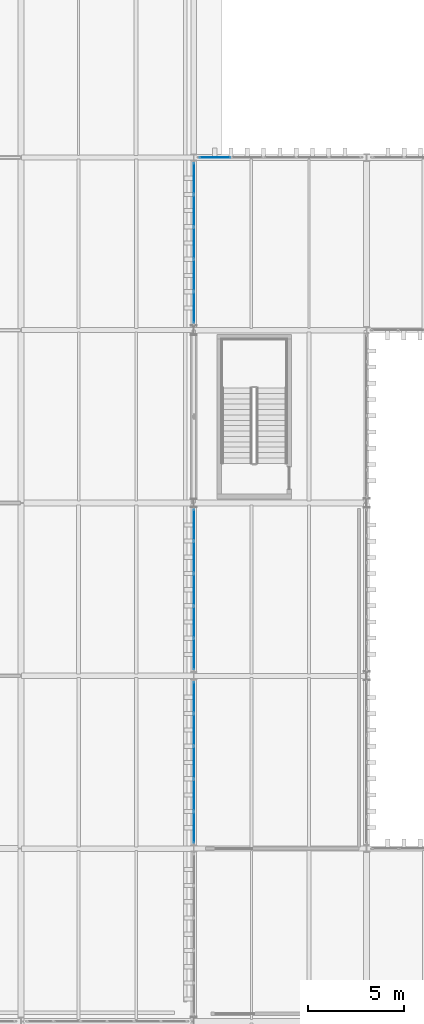
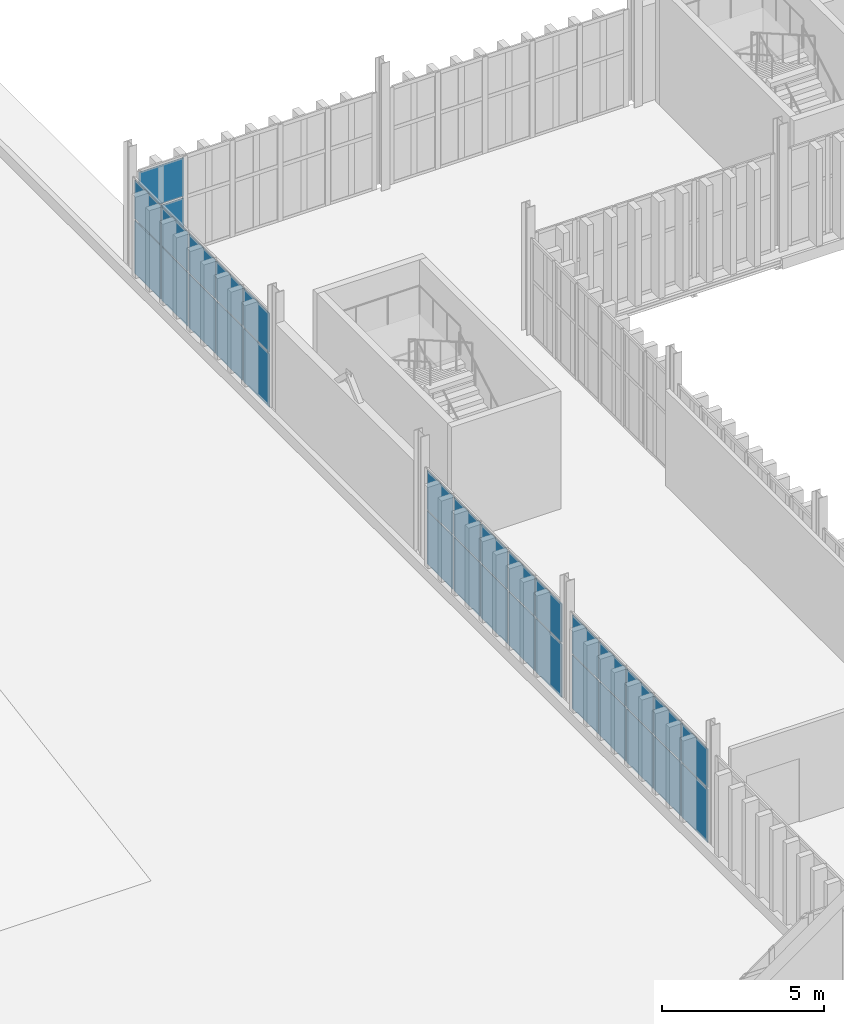
# One storey, part 162 of 196: 32 plates, 4 elements without a shape of their own.
"""IFC4 building model written with IfcOpenShell, lengths in metres."""

import ifcopenshell
import ifcopenshell.guid

model = None  # the IFC model being written
_history = None  # IfcOwnerHistory: only IFC2X3 demands one
_inside = {}  # id of a spatial element -> (the spatial element, [elements in it])
_under = {}  # id of a project, library or spatial element -> (it, [spatial elements below it])
_declared = {}  # id of a project -> (the project, [libraries it declares])
_typed = {}  # id of a type object -> (the type object, [elements of that type])
_made_of = {}  # id of a material, layer set ... -> (it, [elements and type objects made of it])


def new_model(schema):
    """Start an empty IFC model of exactly this schema.

    Asked for "IFC4X3", IfcOpenShell would pick the latest addendum, in which some entities
    have other attributes; the version numbers below select the first issue.
    IFC2X3 requires an IfcOwnerHistory on every rooted entity: one is made here for all.
    """
    global model, _history
    if schema == "IFC4X3":
        model = ifcopenshell.file(schema_version=(4, 3, 0, 0))
    else:
        model = ifcopenshell.file(schema=schema)
    _inside.clear()
    _under.clear()
    _declared.clear()
    _typed.clear()
    _made_of.clear()
    _history = None
    if model.schema == "IFC2X3":
        org = make("IfcOrganization", Name="unknown")
        user = make(
            "IfcPersonAndOrganization",
            ThePerson=make("IfcPerson", FamilyName="unknown"),
            TheOrganization=org,
        )
        app = make(
            "IfcApplication",
            ApplicationDeveloper=org,
            Version="unknown",
            ApplicationFullName="unknown",
            ApplicationIdentifier="unknown",
        )
        _history = make(
            "IfcOwnerHistory",
            OwningUser=user,
            OwningApplication=app,
            ChangeAction="ADDED",
            CreationDate=0,
        )
    return model


def make(cls, **values):
    """One entity of the class cls with the attributes given. An attribute that is None is left unset."""
    return model.create_entity(
        cls, **{name: value for name, value in values.items() if value is not None}
    )


def rooted(cls, **values):
    """An entity with a GlobalId (a new one), such as an element, a storey or a relation."""
    return make(cls, GlobalId=ifcopenshell.guid.new(), OwnerHistory=_history, **values)


def si_unit(unit_type, name, prefix=None):
    """IfcSIUnit, for example si_unit("LENGTHUNIT", "METRE", prefix="MILLI")."""
    return make("IfcSIUnit", UnitType=unit_type, Prefix=prefix, Name=name)


def assignment(units):
    """IfcUnitAssignment: the units of a project."""
    return None if units is None else make("IfcUnitAssignment", Units=units)


def point(xyz):
    """IfcCartesianPoint."""
    return None if xyz is None else make("IfcCartesianPoint", Coordinates=xyz)


def direction(xyz):
    """IfcDirection."""
    return None if xyz is None else make("IfcDirection", DirectionRatios=xyz)


def frame(location, z_axis=None, x_axis=None):
    """IfcAxis2Placement3D, a coordinate frame: its origin and axes. An axis left out is left unset."""
    return make(
        "IfcAxis2Placement3D",
        Location=point(location),
        Axis=direction(z_axis),
        RefDirection=direction(x_axis),
    )


def frame_2d(location, x_axis=None):
    """IfcAxis2Placement2D, a coordinate frame in the plane: its origin and x axis."""
    return make(
        "IfcAxis2Placement2D", Location=point(location), RefDirection=direction(x_axis)
    )


def origin():
    """The frame at (0, 0, 0) with its axes left unset."""
    return frame((0.0, 0.0, 0.0))


def origin_2d():
    """The frame at (0, 0) in the plane with its x axis left unset."""
    return frame_2d((0.0, 0.0))


def place(relative_to, where):
    """IfcLocalPlacement: puts the frame where relative to a parent placement (None: the world)."""
    return make(
        "IfcLocalPlacement", PlacementRelTo=relative_to, RelativePlacement=where
    )


def context(
    kind, dimensions, precision=None, world=None, true_north=None, identifier=None
):
    """IfcGeometricRepresentationContext, for example the 3D "Model" context."""
    return make(
        "IfcGeometricRepresentationContext",
        ContextIdentifier=identifier,
        ContextType=kind,
        CoordinateSpaceDimension=dimensions,
        Precision=precision,
        WorldCoordinateSystem=world,
        TrueNorth=true_north,
    )


def subcontext(parent, identifier, kind, view, scale=None):
    """IfcGeometricRepresentationSubContext, for example "Body" below "Model"."""
    return make(
        "IfcGeometricRepresentationSubContext",
        ContextIdentifier=identifier,
        ContextType=kind,
        ParentContext=parent,
        TargetScale=scale,
        TargetView=view,
    )


def project(units=None, contexts=None):
    """IfcProject with its units and contexts."""
    return rooted(
        "IfcProject",
        Name="project",
        RepresentationContexts=contexts,
        UnitsInContext=assignment(units),
    )


def spatial(cls, under=None, at=None, **own):
    """A site, building, storey or space (cls), placed at a placement, below another one or the project."""
    s = rooted(cls, ObjectPlacement=at, **own)
    if under is not None:
        _under.setdefault(under.id(), (under, []))[1].append(s)
    return s


def profile(cls, at=None, kind="AREA", **sizes):
    """A parametric profile (cls). Its sizes go by their IFC names, for example OverallWidth=200.0."""
    return make(cls, ProfileType=kind, Position=at, **sizes)


def rectangle(**sizes):
    """IfcRectangleProfileDef."""
    return profile("IfcRectangleProfileDef", **sizes)


def extrude(swept, where, along, depth):
    """IfcExtrudedAreaSolid: the profile swept, set in the frame where, extruded along a direction by depth."""
    return make(
        "IfcExtrudedAreaSolid",
        SweptArea=swept,
        Position=where,
        ExtrudedDirection=direction(along),
        Depth=depth,
    )


def shape(context_of_items, identifier, shape_type, items):
    """IfcShapeRepresentation: the items that make up one representation, for example the "Body"."""
    return make(
        "IfcShapeRepresentation",
        ContextOfItems=context_of_items,
        RepresentationIdentifier=identifier,
        RepresentationType=shape_type,
        Items=items,
    )


def material(Name=None, Category=None):
    """IfcMaterial."""
    return make("IfcMaterial", Name=Name, Category=Category)


def layer(
    of_material, thickness, ventilated=None, Name=None, Category=None, Priority=None
):
    """IfcMaterialLayer: one layer of a wall or slab, of a material (None: an air gap)."""
    return make(
        "IfcMaterialLayer",
        Material=of_material,
        LayerThickness=thickness,
        IsVentilated=ventilated,
        Name=Name,
        Category=Category,
        Priority=Priority,
    )


def layer_set(layers, Name=None):
    """IfcMaterialLayerSet."""
    return make("IfcMaterialLayerSet", MaterialLayers=layers, LayerSetName=Name)


def made_of(thing, what):
    """Note that an element or type object is made of a material, layer set ...; save() writes the relation."""
    if what is not None:
        _made_of.setdefault(what.id(), (what, []))[1].append(thing)
    return thing


def type_object(cls, material=None, **own):
    """A type object (cls), such as IfcWallType, which elements share."""
    return made_of(rooted(cls, **own), material)


def element(
    cls,
    number,
    at=None,
    inside=None,
    cuts=None,
    type_object=None,
    material=None,
    context=None,
    identifier="Body",
    shape_type=None,
    held_by="IfcProductDefinitionShape",
    body=None,
    shapes=None,
    **own,
):
    """One element of the class cls, such as IfcWall. Its Tag is "e" and its number.

    at: its placement. inside: the storey or other place that contains it. cuts: it is an
    opening in that element (IfcRelVoidsElement). A single representation is given by context,
    identifier, shape_type and body (its items); several are given by shapes. held_by: the class
    of the entity that holds the representations. save() writes the other relations.
    """
    e = rooted(cls, Tag="e%d" % number, ObjectPlacement=at, **own)
    if body is not None:
        shapes = [shape(context, identifier, shape_type, body)]
    if shapes is not None:
        e.Representation = make(held_by, Representations=shapes)
    if inside is not None:
        _inside.setdefault(inside.id(), (inside, []))[1].append(e)
    if cuts is not None:
        rooted(
            "IfcRelVoidsElement", RelatingBuildingElement=cuts, RelatedOpeningElement=e
        )
    if type_object is not None:
        _typed.setdefault(type_object.id(), (type_object, []))[1].append(e)
    return made_of(e, material)


def aggregate(whole, parts):
    """IfcRelAggregates: a whole, such as a stair, and the parts it consists of."""
    return rooted("IfcRelAggregates", RelatingObject=whole, RelatedObjects=parts)


def save(model, path):
    """Write the relations noted so far, then the file.

    IfcRelAggregates (storeys below a building ...), IfcRelContainedInSpatialStructure (elements
    in a storey), IfcRelDefinesByType, IfcRelAssociatesMaterial and IfcRelDeclares: one each for
    every whole, place, type object, material and project.
    """
    for whole, parts in _under.values():
        aggregate(whole, parts)
    for where, things in _inside.values():
        rooted(
            "IfcRelContainedInSpatialStructure",
            RelatedElements=things,
            RelatingStructure=where,
        )
    for kind, things in _typed.values():
        rooted("IfcRelDefinesByType", RelatedObjects=things, RelatingType=kind)
    for what, things in _made_of.values():
        rooted("IfcRelAssociatesMaterial", RelatedObjects=things, RelatingMaterial=what)
    for by, libraries in _declared.values():
        rooted("IfcRelDeclares", RelatingContext=by, RelatedDefinitions=libraries)
    model.write(path)


model = new_model("IFC4")

# Units and contexts
model_context = context("Model", 3, precision=1e-05, world=origin(), true_north=direction((0.0, 1.0)))
body_context = subcontext(model_context, "Body", "Model", "MODEL_VIEW")
ifc_project = project(units=[si_unit("LENGTHUNIT", "METRE"), si_unit("AREAUNIT", "SQUARE_METRE"), si_unit("VOLUMEUNIT", "CUBIC_METRE"), si_unit("PLANEANGLEUNIT", "RADIAN"), si_unit("MASSUNIT", "GRAM", prefix="KILO")], contexts=[model_context])

# Site, building, storey
site_placement = place(None, origin())
site = spatial("IfcSite", under=ifc_project, at=site_placement, CompositionType="ELEMENT")
building_placement = place(site_placement, origin())
building = spatial("IfcBuilding", under=site, at=building_placement, Name="Barlavento Convention Centre", CompositionType="ELEMENT")
storey_placement = place(building_placement, frame((0.0, 0.0, 18.0)))
storey = spatial("IfcBuildingStorey", under=building, at=storey_placement, Name="L03", CompositionType="ELEMENT", Elevation=18.0)

# Curtain wall, plates
ifc_material_1 = material(Name="Powder-coated aluminium and Low-E glass", Category="aluminium")
ifc_layer_1 = layer(ifc_material_1, 0.179931640625)
ifc_layer_set_1 = layer_set([ifc_layer_1], Name="ARC-CW-CONF-L03")
curtain_wall_type = type_object("IfcCurtainWallType", Name="ARC-CW-CONF-L03", PredefinedType="NOTDEFINED", material=ifc_layer_set_1)
curtain_wall_1_placement = place(storey_placement, origin())
curtain_wall_1 = element("IfcCurtainWall", 1, at=curtain_wall_1_placement, inside=storey, type_object=curtain_wall_type, Name="L03 unitised curtain wall CW08", PredefinedType="NOTDEFINED")
ifc_material_2 = material(Name="Double-silver Low-E insulated glass", Category="glass")
ifc_layer_2 = layer(ifc_material_2, 0.028076171875)
ifc_layer_set_2 = layer_set([ifc_layer_2], Name="ARC-CWP-GLZ28")
plate_type = type_object("IfcPlateType", Name="ARC-CWP-GLZ28", PredefinedType="CURTAIN_PANEL", material=ifc_layer_set_2)
plate_1_placement = place(storey_placement, frame((126.0, 64.10400390625, 0.06005859375), z_axis=(0.0, 0.0, 1.0), x_axis=(0.0, 1.0, 0.0)))
plate_1 = element("IfcPlate", 2, at=plate_1_placement, type_object=plate_type, Name="CW08 panel 1.1", PredefinedType="CURTAIN_PANEL", context=body_context, shape_type="SweptSolid", body=[
    extrude(rectangle(XDim=1.60791015625, YDim=0.028076171875, at=origin_2d()), origin(), (0.0, 0.0, 1.0), 2.010009765625),
])
plate_2_placement = place(storey_placement, frame((126.0, 64.10400390625, 2.130126953125), z_axis=(0.0, 0.0, 1.0), x_axis=(0.0, 1.0, 0.0)))
plate_2 = element("IfcPlate", 3, at=plate_2_placement, type_object=plate_type, Name="CW08 panel 1.2", PredefinedType="CURTAIN_PANEL", context=body_context, shape_type="SweptSolid", body=[
    extrude(rectangle(XDim=1.60791015625, YDim=0.028076171875, at=origin_2d()), origin(), (0.0, 0.0, 1.0), 1.4599609375),
])
plate_3_placement = place(storey_placement, frame((126.0, 65.787109375, 0.06005859375), z_axis=(0.0, 0.0, 1.0), x_axis=(0.0, 1.0, 0.0)))
plate_3 = element("IfcPlate", 4, at=plate_3_placement, type_object=plate_type, Name="CW08 panel 2.1", PredefinedType="CURTAIN_PANEL", context=body_context, shape_type="SweptSolid", body=[
    extrude(rectangle(XDim=1.637939453125, YDim=0.028076171875, at=origin_2d()), origin(), (0.0, 0.0, 1.0), 2.010009765625),
])
plate_4_placement = place(storey_placement, frame((126.0, 65.787109375, 2.130126953125), z_axis=(0.0, 0.0, 1.0), x_axis=(0.0, 1.0, 0.0)))
plate_4 = element("IfcPlate", 5, at=plate_4_placement, type_object=plate_type, Name="CW08 panel 2.2", PredefinedType="CURTAIN_PANEL", context=body_context, shape_type="SweptSolid", body=[
    extrude(rectangle(XDim=1.637939453125, YDim=0.028076171875, at=origin_2d()), origin(), (0.0, 0.0, 1.0), 1.4599609375),
])
plate_5_placement = place(storey_placement, frame((126.0, 67.485107421875, 0.06005859375), z_axis=(0.0, 0.0, 1.0), x_axis=(0.0, 1.0, 0.0)))
plate_5 = element("IfcPlate", 6, at=plate_5_placement, type_object=plate_type, Name="CW08 panel 3.1", PredefinedType="CURTAIN_PANEL", context=body_context, shape_type="SweptSolid", body=[
    extrude(rectangle(XDim=1.637939453125, YDim=0.028076171875, at=origin_2d()), origin(), (0.0, 0.0, 1.0), 2.010009765625),
])
plate_6_placement = place(storey_placement, frame((126.0, 67.485107421875, 2.130126953125), z_axis=(0.0, 0.0, 1.0), x_axis=(0.0, 1.0, 0.0)))
plate_6 = element("IfcPlate", 7, at=plate_6_placement, type_object=plate_type, Name="CW08 panel 3.2", PredefinedType="CURTAIN_PANEL", context=body_context, shape_type="SweptSolid", body=[
    extrude(rectangle(XDim=1.637939453125, YDim=0.028076171875, at=origin_2d()), origin(), (0.0, 0.0, 1.0), 1.4599609375),
])
plate_7_placement = place(storey_placement, frame((126.0, 69.18310546875, 0.06005859375), z_axis=(0.0, 0.0, 1.0), x_axis=(0.0, 1.0, 0.0)))
plate_7 = element("IfcPlate", 8, at=plate_7_placement, type_object=plate_type, Name="CW08 panel 4.1", PredefinedType="CURTAIN_PANEL", context=body_context, shape_type="SweptSolid", body=[
    extrude(rectangle(XDim=1.637939453125, YDim=0.028076171875, at=origin_2d()), origin(), (0.0, 0.0, 1.0), 2.010009765625),
])
plate_8_placement = place(storey_placement, frame((126.0, 69.18310546875, 2.130126953125), z_axis=(0.0, 0.0, 1.0), x_axis=(0.0, 1.0, 0.0)))
plate_8 = element("IfcPlate", 9, at=plate_8_placement, type_object=plate_type, Name="CW08 panel 4.2", PredefinedType="CURTAIN_PANEL", context=body_context, shape_type="SweptSolid", body=[
    extrude(rectangle(XDim=1.637939453125, YDim=0.028076171875, at=origin_2d()), origin(), (0.0, 0.0, 1.0), 1.4599609375),
])
plate_9_placement = place(storey_placement, frame((126.0, 70.865966796875, 0.06005859375), z_axis=(0.0, 0.0, 1.0), x_axis=(0.0, 1.0, 0.0)))
plate_9 = element("IfcPlate", 10, at=plate_9_placement, type_object=plate_type, Name="CW08 panel 5.1", PredefinedType="CURTAIN_PANEL", context=body_context, shape_type="SweptSolid", body=[
    extrude(rectangle(XDim=1.60791015625, YDim=0.028076171875, at=origin_2d()), origin(), (0.0, 0.0, 1.0), 2.010009765625),
])
plate_10_placement = place(storey_placement, frame((126.0, 70.865966796875, 2.130126953125), z_axis=(0.0, 0.0, 1.0), x_axis=(0.0, 1.0, 0.0)))
plate_10 = element("IfcPlate", 11, at=plate_10_placement, type_object=plate_type, Name="CW08 panel 5.2", PredefinedType="CURTAIN_PANEL", context=body_context, shape_type="SweptSolid", body=[
    extrude(rectangle(XDim=1.60791015625, YDim=0.028076171875, at=origin_2d()), origin(), (0.0, 0.0, 1.0), 1.4599609375),
])
aggregate(curtain_wall_1, [plate_1, plate_2, plate_3, plate_4, plate_5, plate_6, plate_7, plate_8, plate_9, plate_10])

curtain_wall_2_placement = place(storey_placement, origin())
curtain_wall_2 = element("IfcCurtainWall", 12, at=curtain_wall_2_placement, inside=storey, type_object=curtain_wall_type, Name="L03 unitised curtain wall CW08", PredefinedType="NOTDEFINED")
plate_11_placement = place(storey_placement, frame((126.0, 73.12841796875, 0.06005859375), z_axis=(0.0, 0.0, 1.0), x_axis=(0.0, 1.0, 0.0)))
plate_11 = element("IfcPlate", 13, at=plate_11_placement, type_object=plate_type, Name="CW08 panel 1.1", PredefinedType="CURTAIN_PANEL", context=body_context, shape_type="SweptSolid", body=[
    extrude(rectangle(XDim=1.596923828125, YDim=0.028076171875, at=origin_2d()), origin(), (0.0, 0.0, 1.0), 2.010009765625),
])
plate_12_placement = place(storey_placement, frame((126.0, 73.12841796875, 2.130126953125), z_axis=(0.0, 0.0, 1.0), x_axis=(0.0, 1.0, 0.0)))
plate_12 = element("IfcPlate", 14, at=plate_12_placement, type_object=plate_type, Name="CW08 panel 1.2", PredefinedType="CURTAIN_PANEL", context=body_context, shape_type="SweptSolid", body=[
    extrude(rectangle(XDim=1.596923828125, YDim=0.028076171875, at=origin_2d()), origin(), (0.0, 0.0, 1.0), 1.4599609375),
])
plate_13_placement = place(storey_placement, frame((126.0, 74.800537109375, 0.06005859375), z_axis=(0.0, 0.0, 1.0), x_axis=(0.0, 1.0, 0.0)))
plate_13 = element("IfcPlate", 15, at=plate_13_placement, type_object=plate_type, Name="CW08 panel 2.1", PredefinedType="CURTAIN_PANEL", context=body_context, shape_type="SweptSolid", body=[
    extrude(rectangle(XDim=1.626953125, YDim=0.028076171875, at=origin_2d()), origin(), (0.0, 0.0, 1.0), 2.010009765625),
])
plate_14_placement = place(storey_placement, frame((126.0, 74.800537109375, 2.130126953125), z_axis=(0.0, 0.0, 1.0), x_axis=(0.0, 1.0, 0.0)))
plate_14 = element("IfcPlate", 16, at=plate_14_placement, type_object=plate_type, Name="CW08 panel 2.2", PredefinedType="CURTAIN_PANEL", context=body_context, shape_type="SweptSolid", body=[
    extrude(rectangle(XDim=1.626953125, YDim=0.028076171875, at=origin_2d()), origin(), (0.0, 0.0, 1.0), 1.4599609375),
])
plate_15_placement = place(storey_placement, frame((126.0, 76.487548828125, 0.06005859375), z_axis=(0.0, 0.0, 1.0), x_axis=(0.0, 1.0, 0.0)))
plate_15 = element("IfcPlate", 17, at=plate_15_placement, type_object=plate_type, Name="CW08 panel 3.1", PredefinedType="CURTAIN_PANEL", context=body_context, shape_type="SweptSolid", body=[
    extrude(rectangle(XDim=1.626953125, YDim=0.028076171875, at=origin_2d()), origin(), (0.0, 0.0, 1.0), 2.010009765625),
])
plate_16_placement = place(storey_placement, frame((126.0, 76.487548828125, 2.130126953125), z_axis=(0.0, 0.0, 1.0), x_axis=(0.0, 1.0, 0.0)))
plate_16 = element("IfcPlate", 18, at=plate_16_placement, type_object=plate_type, Name="CW08 panel 3.2", PredefinedType="CURTAIN_PANEL", context=body_context, shape_type="SweptSolid", body=[
    extrude(rectangle(XDim=1.626953125, YDim=0.028076171875, at=origin_2d()), origin(), (0.0, 0.0, 1.0), 1.4599609375),
])
plate_17_placement = place(storey_placement, frame((126.0, 78.174560546875, 0.06005859375), z_axis=(0.0, 0.0, 1.0), x_axis=(0.0, 1.0, 0.0)))
plate_17 = element("IfcPlate", 19, at=plate_17_placement, type_object=plate_type, Name="CW08 panel 4.1", PredefinedType="CURTAIN_PANEL", context=body_context, shape_type="SweptSolid", body=[
    extrude(rectangle(XDim=1.626953125, YDim=0.028076171875, at=origin_2d()), origin(), (0.0, 0.0, 1.0), 2.010009765625),
])
plate_18_placement = place(storey_placement, frame((126.0, 78.174560546875, 2.130126953125), z_axis=(0.0, 0.0, 1.0), x_axis=(0.0, 1.0, 0.0)))
plate_18 = element("IfcPlate", 20, at=plate_18_placement, type_object=plate_type, Name="CW08 panel 4.2", PredefinedType="CURTAIN_PANEL", context=body_context, shape_type="SweptSolid", body=[
    extrude(rectangle(XDim=1.626953125, YDim=0.028076171875, at=origin_2d()), origin(), (0.0, 0.0, 1.0), 1.4599609375),
])
plate_19_placement = place(storey_placement, frame((126.0, 79.846435546875, 0.06005859375), z_axis=(0.0, 0.0, 1.0), x_axis=(0.0, 1.0, 0.0)))
plate_19 = element("IfcPlate", 21, at=plate_19_placement, type_object=plate_type, Name="CW08 panel 5.1", PredefinedType="CURTAIN_PANEL", context=body_context, shape_type="SweptSolid", body=[
    extrude(rectangle(XDim=1.596923828125, YDim=0.028076171875, at=origin_2d()), origin(), (0.0, 0.0, 1.0), 2.010009765625),
])
plate_20_placement = place(storey_placement, frame((126.0, 79.846435546875, 2.130126953125), z_axis=(0.0, 0.0, 1.0), x_axis=(0.0, 1.0, 0.0)))
plate_20 = element("IfcPlate", 22, at=plate_20_placement, type_object=plate_type, Name="CW08 panel 5.2", PredefinedType="CURTAIN_PANEL", context=body_context, shape_type="SweptSolid", body=[
    extrude(rectangle(XDim=1.596923828125, YDim=0.028076171875, at=origin_2d()), origin(), (0.0, 0.0, 1.0), 1.4599609375),
])
aggregate(curtain_wall_2, [plate_11, plate_12, plate_13, plate_14, plate_15, plate_16, plate_17, plate_18, plate_19, plate_20])

curtain_wall_3_placement = place(storey_placement, origin())
curtain_wall_3 = element("IfcCurtainWall", 23, at=curtain_wall_3_placement, inside=storey, type_object=curtain_wall_type, Name="L03 unitised curtain wall CW08", PredefinedType="NOTDEFINED")
plate_21_placement = place(storey_placement, frame((126.0, 91.178955078125, 0.06005859375), z_axis=(0.0, 0.0, 1.0), x_axis=(0.0, 1.0, 0.0)))
plate_21 = element("IfcPlate", 24, at=plate_21_placement, type_object=plate_type, Name="CW08 panel 1.1", PredefinedType="CURTAIN_PANEL", context=body_context, shape_type="SweptSolid", body=[
    extrude(rectangle(XDim=1.597900390625, YDim=0.028076171875, at=origin_2d()), origin(), (0.0, 0.0, 1.0), 2.010009765625),
])
plate_22_placement = place(storey_placement, frame((126.0, 91.178955078125, 2.130126953125), z_axis=(0.0, 0.0, 1.0), x_axis=(0.0, 1.0, 0.0)))
plate_22 = element("IfcPlate", 25, at=plate_22_placement, type_object=plate_type, Name="CW08 panel 1.2", PredefinedType="CURTAIN_PANEL", context=body_context, shape_type="SweptSolid", body=[
    extrude(rectangle(XDim=1.597900390625, YDim=0.028076171875, at=origin_2d()), origin(), (0.0, 0.0, 1.0), 1.4599609375),
])
plate_23_placement = place(storey_placement, frame((126.0, 92.85205078125, 0.06005859375), z_axis=(0.0, 0.0, 1.0), x_axis=(0.0, 1.0, 0.0)))
plate_23 = element("IfcPlate", 26, at=plate_23_placement, type_object=plate_type, Name="CW08 panel 2.1", PredefinedType="CURTAIN_PANEL", context=body_context, shape_type="SweptSolid", body=[
    extrude(rectangle(XDim=1.6279296875, YDim=0.028076171875, at=origin_2d()), origin(), (0.0, 0.0, 1.0), 2.010009765625),
])
plate_24_placement = place(storey_placement, frame((126.0, 92.85205078125, 2.130126953125), z_axis=(0.0, 0.0, 1.0), x_axis=(0.0, 1.0, 0.0)))
plate_24 = element("IfcPlate", 27, at=plate_24_placement, type_object=plate_type, Name="CW08 panel 2.2", PredefinedType="CURTAIN_PANEL", context=body_context, shape_type="SweptSolid", body=[
    extrude(rectangle(XDim=1.6279296875, YDim=0.028076171875, at=origin_2d()), origin(), (0.0, 0.0, 1.0), 1.4599609375),
])
plate_25_placement = place(storey_placement, frame((126.0, 94.5400390625, 0.06005859375), z_axis=(0.0, 0.0, 1.0), x_axis=(0.0, 1.0, 0.0)))
plate_25 = element("IfcPlate", 28, at=plate_25_placement, type_object=plate_type, Name="CW08 panel 3.1", PredefinedType="CURTAIN_PANEL", context=body_context, shape_type="SweptSolid", body=[
    extrude(rectangle(XDim=1.6279296875, YDim=0.028076171875, at=origin_2d()), origin(), (0.0, 0.0, 1.0), 2.010009765625),
])
plate_26_placement = place(storey_placement, frame((126.0, 94.5400390625, 2.130126953125), z_axis=(0.0, 0.0, 1.0), x_axis=(0.0, 1.0, 0.0)))
plate_26 = element("IfcPlate", 29, at=plate_26_placement, type_object=plate_type, Name="CW08 panel 3.2", PredefinedType="CURTAIN_PANEL", context=body_context, shape_type="SweptSolid", body=[
    extrude(rectangle(XDim=1.6279296875, YDim=0.028076171875, at=origin_2d()), origin(), (0.0, 0.0, 1.0), 1.4599609375),
])
plate_27_placement = place(storey_placement, frame((126.0, 96.22802734375, 0.06005859375), z_axis=(0.0, 0.0, 1.0), x_axis=(0.0, 1.0, 0.0)))
plate_27 = element("IfcPlate", 30, at=plate_27_placement, type_object=plate_type, Name="CW08 panel 4.1", PredefinedType="CURTAIN_PANEL", context=body_context, shape_type="SweptSolid", body=[
    extrude(rectangle(XDim=1.6279296875, YDim=0.028076171875, at=origin_2d()), origin(), (0.0, 0.0, 1.0), 2.010009765625),
])
plate_28_placement = place(storey_placement, frame((126.0, 96.22802734375, 2.130126953125), z_axis=(0.0, 0.0, 1.0), x_axis=(0.0, 1.0, 0.0)))
plate_28 = element("IfcPlate", 31, at=plate_28_placement, type_object=plate_type, Name="CW08 panel 4.2", PredefinedType="CURTAIN_PANEL", context=body_context, shape_type="SweptSolid", body=[
    extrude(rectangle(XDim=1.6279296875, YDim=0.028076171875, at=origin_2d()), origin(), (0.0, 0.0, 1.0), 1.4599609375),
])
plate_29_placement = place(storey_placement, frame((126.0, 97.90087890625, 0.06005859375), z_axis=(0.0, 0.0, 1.0), x_axis=(0.0, 1.0, 0.0)))
plate_29 = element("IfcPlate", 32, at=plate_29_placement, type_object=plate_type, Name="CW08 panel 5.1", PredefinedType="CURTAIN_PANEL", context=body_context, shape_type="SweptSolid", body=[
    extrude(rectangle(XDim=1.597900390625, YDim=0.028076171875, at=origin_2d()), origin(), (0.0, 0.0, 1.0), 2.010009765625),
])
plate_30_placement = place(storey_placement, frame((126.0, 97.90087890625, 2.130126953125), z_axis=(0.0, 0.0, 1.0), x_axis=(0.0, 1.0, 0.0)))
plate_30 = element("IfcPlate", 33, at=plate_30_placement, type_object=plate_type, Name="CW08 panel 5.2", PredefinedType="CURTAIN_PANEL", context=body_context, shape_type="SweptSolid", body=[
    extrude(rectangle(XDim=1.597900390625, YDim=0.028076171875, at=origin_2d()), origin(), (0.0, 0.0, 1.0), 1.4599609375),
])
aggregate(curtain_wall_3, [plate_21, plate_22, plate_23, plate_24, plate_25, plate_26, plate_27, plate_28, plate_29, plate_30])

curtain_wall_4_placement = place(storey_placement, origin())
curtain_wall_4 = element("IfcCurtainWall", 34, at=curtain_wall_4_placement, inside=storey, type_object=curtain_wall_type, Name="L03 unitised curtain wall CW08", PredefinedType="NOTDEFINED")
plate_31_placement = place(storey_placement, frame((127.10400390625, 99.0, 0.06005859375), z_axis=(0.0, 0.0, 1.0), x_axis=(1.0, 0.0, 0.0)))
plate_31 = element("IfcPlate", 35, at=plate_31_placement, type_object=plate_type, Name="CW08 panel 1.1", PredefinedType="CURTAIN_PANEL", context=body_context, shape_type="SweptSolid", body=[
    extrude(rectangle(XDim=1.60791015625, YDim=0.028076171875, at=origin_2d()), origin(), (0.0, 0.0, 1.0), 2.010009765625),
])
plate_32_placement = place(storey_placement, frame((127.10400390625, 99.0, 2.130126953125), z_axis=(0.0, 0.0, 1.0), x_axis=(1.0, 0.0, 0.0)))
plate_32 = element("IfcPlate", 36, at=plate_32_placement, type_object=plate_type, Name="CW08 panel 1.2", PredefinedType="CURTAIN_PANEL", context=body_context, shape_type="SweptSolid", body=[
    extrude(rectangle(XDim=1.60791015625, YDim=0.028076171875, at=origin_2d()), origin(), (0.0, 0.0, 1.0), 1.4599609375),
])
aggregate(curtain_wall_4, [plate_31, plate_32])

save(model, "model.ifc")
